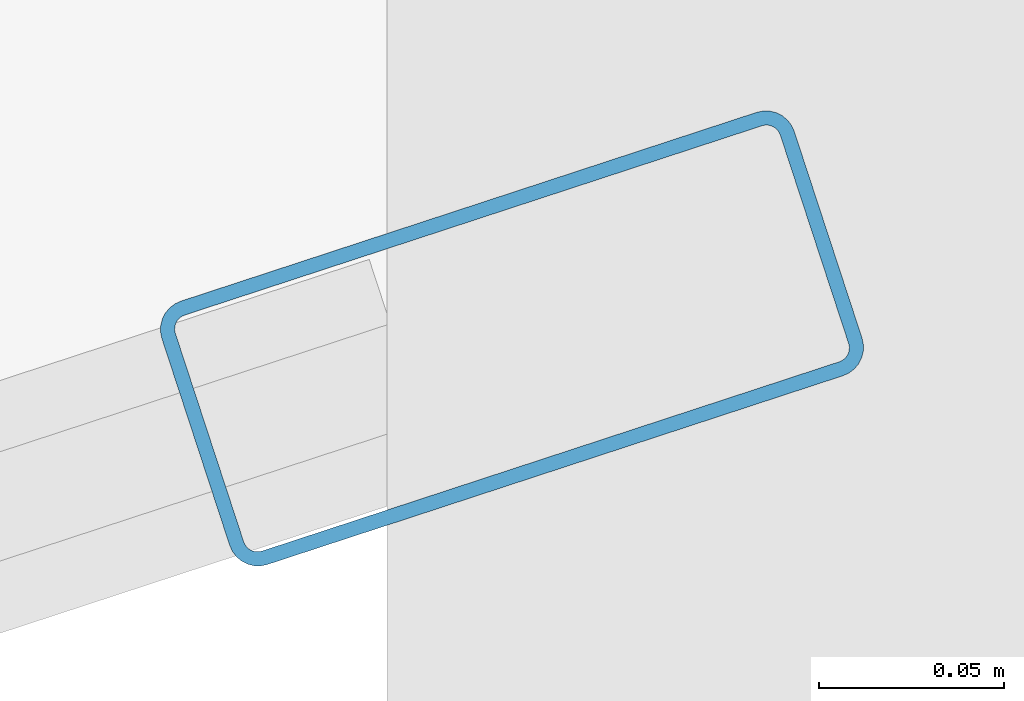
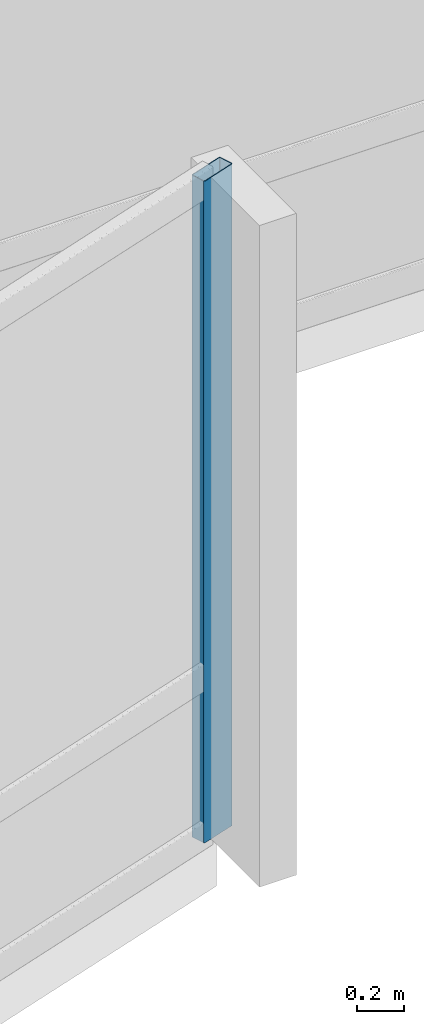
# One storey, part 10 of 34: 1 member, 1 element without a shape of its own.
"""IFC4 building model written with IfcOpenShell, lengths in metres."""

import ifcopenshell
import ifcopenshell.guid

model = None  # the IFC model being written
_history = None  # IfcOwnerHistory: only IFC2X3 demands one
_inside = {}  # id of a spatial element -> (the spatial element, [elements in it])
_under = {}  # id of a project, library or spatial element -> (it, [spatial elements below it])
_declared = {}  # id of a project -> (the project, [libraries it declares])
_typed = {}  # id of a type object -> (the type object, [elements of that type])
_made_of = {}  # id of a material, layer set ... -> (it, [elements and type objects made of it])


def new_model(schema):
    """Start an empty IFC model of exactly this schema.

    Asked for "IFC4X3", IfcOpenShell would pick the latest addendum, in which some entities
    have other attributes; the version numbers below select the first issue.
    IFC2X3 requires an IfcOwnerHistory on every rooted entity: one is made here for all.
    """
    global model, _history
    if schema == "IFC4X3":
        model = ifcopenshell.file(schema_version=(4, 3, 0, 0))
    else:
        model = ifcopenshell.file(schema=schema)
    _inside.clear()
    _under.clear()
    _declared.clear()
    _typed.clear()
    _made_of.clear()
    _history = None
    if model.schema == "IFC2X3":
        org = make("IfcOrganization", Name="unknown")
        user = make(
            "IfcPersonAndOrganization",
            ThePerson=make("IfcPerson", FamilyName="unknown"),
            TheOrganization=org,
        )
        app = make(
            "IfcApplication",
            ApplicationDeveloper=org,
            Version="unknown",
            ApplicationFullName="unknown",
            ApplicationIdentifier="unknown",
        )
        _history = make(
            "IfcOwnerHistory",
            OwningUser=user,
            OwningApplication=app,
            ChangeAction="ADDED",
            CreationDate=0,
        )
    return model


def make(cls, **values):
    """One entity of the class cls with the attributes given. An attribute that is None is left unset."""
    return model.create_entity(
        cls, **{name: value for name, value in values.items() if value is not None}
    )


def rooted(cls, **values):
    """An entity with a GlobalId (a new one), such as an element, a storey or a relation."""
    return make(cls, GlobalId=ifcopenshell.guid.new(), OwnerHistory=_history, **values)


def si_unit(unit_type, name, prefix=None):
    """IfcSIUnit, for example si_unit("LENGTHUNIT", "METRE", prefix="MILLI")."""
    return make("IfcSIUnit", UnitType=unit_type, Prefix=prefix, Name=name)


def assignment(units):
    """IfcUnitAssignment: the units of a project."""
    return None if units is None else make("IfcUnitAssignment", Units=units)


def point(xyz):
    """IfcCartesianPoint."""
    return None if xyz is None else make("IfcCartesianPoint", Coordinates=xyz)


def direction(xyz):
    """IfcDirection."""
    return None if xyz is None else make("IfcDirection", DirectionRatios=xyz)


def frame(location, z_axis=None, x_axis=None):
    """IfcAxis2Placement3D, a coordinate frame: its origin and axes. An axis left out is left unset."""
    return make(
        "IfcAxis2Placement3D",
        Location=point(location),
        Axis=direction(z_axis),
        RefDirection=direction(x_axis),
    )


def frame_2d(location, x_axis=None):
    """IfcAxis2Placement2D, a coordinate frame in the plane: its origin and x axis."""
    return make(
        "IfcAxis2Placement2D", Location=point(location), RefDirection=direction(x_axis)
    )


def origin():
    """The frame at (0, 0, 0) with its axes left unset."""
    return frame((0.0, 0.0, 0.0))


def origin_2d():
    """The frame at (0, 0) in the plane with its x axis left unset."""
    return frame_2d((0.0, 0.0))


def place(relative_to, where):
    """IfcLocalPlacement: puts the frame where relative to a parent placement (None: the world)."""
    return make(
        "IfcLocalPlacement", PlacementRelTo=relative_to, RelativePlacement=where
    )


def context(
    kind, dimensions, precision=None, world=None, true_north=None, identifier=None
):
    """IfcGeometricRepresentationContext, for example the 3D "Model" context."""
    return make(
        "IfcGeometricRepresentationContext",
        ContextIdentifier=identifier,
        ContextType=kind,
        CoordinateSpaceDimension=dimensions,
        Precision=precision,
        WorldCoordinateSystem=world,
        TrueNorth=true_north,
    )


def subcontext(parent, identifier, kind, view, scale=None):
    """IfcGeometricRepresentationSubContext, for example "Body" below "Model"."""
    return make(
        "IfcGeometricRepresentationSubContext",
        ContextIdentifier=identifier,
        ContextType=kind,
        ParentContext=parent,
        TargetScale=scale,
        TargetView=view,
    )


def project(units=None, contexts=None):
    """IfcProject with its units and contexts."""
    return rooted(
        "IfcProject",
        Name="project",
        RepresentationContexts=contexts,
        UnitsInContext=assignment(units),
    )


def spatial(cls, under=None, at=None, **own):
    """A site, building, storey or space (cls), placed at a placement, below another one or the project."""
    s = rooted(cls, ObjectPlacement=at, **own)
    if under is not None:
        _under.setdefault(under.id(), (under, []))[1].append(s)
    return s


def profile(cls, at=None, kind="AREA", **sizes):
    """A parametric profile (cls). Its sizes go by their IFC names, for example OverallWidth=200.0."""
    return make(cls, ProfileType=kind, Position=at, **sizes)


def hollow_rectangle(**sizes):
    """IfcRectangleHollowProfileDef."""
    return profile("IfcRectangleHollowProfileDef", **sizes)


def extrude(swept, where, along, depth):
    """IfcExtrudedAreaSolid: the profile swept, set in the frame where, extruded along a direction by depth."""
    return make(
        "IfcExtrudedAreaSolid",
        SweptArea=swept,
        Position=where,
        ExtrudedDirection=direction(along),
        Depth=depth,
    )


def shape(context_of_items, identifier, shape_type, items):
    """IfcShapeRepresentation: the items that make up one representation, for example the "Body"."""
    return make(
        "IfcShapeRepresentation",
        ContextOfItems=context_of_items,
        RepresentationIdentifier=identifier,
        RepresentationType=shape_type,
        Items=items,
    )


def material(Name=None, Category=None):
    """IfcMaterial."""
    return make("IfcMaterial", Name=Name, Category=Category)


def layer(
    of_material, thickness, ventilated=None, Name=None, Category=None, Priority=None
):
    """IfcMaterialLayer: one layer of a wall or slab, of a material (None: an air gap)."""
    return make(
        "IfcMaterialLayer",
        Material=of_material,
        LayerThickness=thickness,
        IsVentilated=ventilated,
        Name=Name,
        Category=Category,
        Priority=Priority,
    )


def layer_set(layers, Name=None):
    """IfcMaterialLayerSet."""
    return make("IfcMaterialLayerSet", MaterialLayers=layers, LayerSetName=Name)


def material_profile(
    of_material, cross_section, Name=None, Category=None, Priority=None
):
    """IfcMaterialProfile: a cross section and its material."""
    return make(
        "IfcMaterialProfile",
        Name=Name,
        Material=of_material,
        Profile=cross_section,
        Priority=Priority,
        Category=Category,
    )


def profile_set(profiles, Name=None, composite=None):
    """IfcMaterialProfileSet."""
    return make(
        "IfcMaterialProfileSet",
        Name=Name,
        MaterialProfiles=profiles,
        CompositeProfile=composite,
    )


def made_of(thing, what):
    """Note that an element or type object is made of a material, layer set ...; save() writes the relation."""
    if what is not None:
        _made_of.setdefault(what.id(), (what, []))[1].append(thing)
    return thing


def type_object(cls, material=None, **own):
    """A type object (cls), such as IfcWallType, which elements share."""
    return made_of(rooted(cls, **own), material)


def element(
    cls,
    number,
    at=None,
    inside=None,
    cuts=None,
    type_object=None,
    material=None,
    context=None,
    identifier="Body",
    shape_type=None,
    held_by="IfcProductDefinitionShape",
    body=None,
    shapes=None,
    **own,
):
    """One element of the class cls, such as IfcWall. Its Tag is "e" and its number.

    at: its placement. inside: the storey or other place that contains it. cuts: it is an
    opening in that element (IfcRelVoidsElement). A single representation is given by context,
    identifier, shape_type and body (its items); several are given by shapes. held_by: the class
    of the entity that holds the representations. save() writes the other relations.
    """
    e = rooted(cls, Tag="e%d" % number, ObjectPlacement=at, **own)
    if body is not None:
        shapes = [shape(context, identifier, shape_type, body)]
    if shapes is not None:
        e.Representation = make(held_by, Representations=shapes)
    if inside is not None:
        _inside.setdefault(inside.id(), (inside, []))[1].append(e)
    if cuts is not None:
        rooted(
            "IfcRelVoidsElement", RelatingBuildingElement=cuts, RelatedOpeningElement=e
        )
    if type_object is not None:
        _typed.setdefault(type_object.id(), (type_object, []))[1].append(e)
    return made_of(e, material)


def aggregate(whole, parts):
    """IfcRelAggregates: a whole, such as a stair, and the parts it consists of."""
    return rooted("IfcRelAggregates", RelatingObject=whole, RelatedObjects=parts)


def save(model, path):
    """Write the relations noted so far, then the file.

    IfcRelAggregates (storeys below a building ...), IfcRelContainedInSpatialStructure (elements
    in a storey), IfcRelDefinesByType, IfcRelAssociatesMaterial and IfcRelDeclares: one each for
    every whole, place, type object, material and project.
    """
    for whole, parts in _under.values():
        aggregate(whole, parts)
    for where, things in _inside.values():
        rooted(
            "IfcRelContainedInSpatialStructure",
            RelatedElements=things,
            RelatingStructure=where,
        )
    for kind, things in _typed.values():
        rooted("IfcRelDefinesByType", RelatedObjects=things, RelatingType=kind)
    for what, things in _made_of.values():
        rooted("IfcRelAssociatesMaterial", RelatedObjects=things, RelatingMaterial=what)
    for by, libraries in _declared.values():
        rooted("IfcRelDeclares", RelatingContext=by, RelatedDefinitions=libraries)
    model.write(path)


model = new_model("IFC4")

# Units and contexts
model_context = context("Model", 3, precision=1e-05, world=origin(), true_north=direction((0.0, 1.0)))
body_context = subcontext(model_context, "Body", "Model", "MODEL_VIEW")
ifc_project = project(units=[si_unit("LENGTHUNIT", "METRE"), si_unit("AREAUNIT", "SQUARE_METRE"), si_unit("VOLUMEUNIT", "CUBIC_METRE"), si_unit("PLANEANGLEUNIT", "RADIAN"), si_unit("MASSUNIT", "GRAM", prefix="KILO")], contexts=[model_context])

# Site, building, storey
site_placement = place(None, origin())
site = spatial("IfcSite", under=ifc_project, at=site_placement, CompositionType="ELEMENT")
building_placement = place(site_placement, origin())
building = spatial("IfcBuilding", under=site, at=building_placement, Name="Solvaryn Broadcast Tower", CompositionType="ELEMENT")
storey_placement = place(building_placement, frame((0.0, 0.0, 92.800048828125)))
storey = spatial("IfcBuildingStorey", under=building, at=storey_placement, Name="L22", CompositionType="ELEMENT", Elevation=92.800048828125)

# Curtain wall, member
ifc_material_1 = material(Name="Aluminium and Terracotta Unitised Curtain Wall", Category="masonry")
ifc_layer = layer(ifc_material_1, 0.199951171875)
ifc_layer_set = layer_set([ifc_layer], Name="CW-SYS2-LOWMID")
curtain_wall_type = type_object("IfcCurtainWallType", Name="CW-SYS2-LOWMID", PredefinedType="NOTDEFINED", material=ifc_layer_set)
curtain_wall_placement = place(storey_placement, origin())
curtain_wall = element("IfcCurtainWall", 1, at=curtain_wall_placement, inside=storey, type_object=curtain_wall_type, Name="L22 Curtain Wall DR4", PredefinedType="NOTDEFINED")
ifc_material_2 = material(Name="Anodised Aluminium 6063-T6", Category="aluminium")
ifc_material_profile = material_profile(ifc_material_2, hollow_rectangle(XDim=0.074951171875, YDim=0.179931640625, WallThickness=0.00390625, InnerFilletRadius=0.00390625, OuterFilletRadius=0.008056640625, at=origin_2d()))
ifc_profile_set = profile_set([ifc_material_profile], Name="Anodised Aluminium 6063-T6")
member_type = type_object("IfcMemberType", Name="CW-MUL-180", PredefinedType="MULLION", material=ifc_profile_set)
member_placement = place(storey_placement, frame((45.987548828125, 5.90673828125, 0.0), z_axis=(0.0, 0.0, 1.0), x_axis=(-0.311594044587, 0.950215318429, 0.0)))
member = element("IfcMember", 2, at=member_placement, type_object=member_type, Name="CWS2 mullion 2", PredefinedType="MULLION", context=body_context, shape_type="SweptSolid", body=[
    extrude(hollow_rectangle(XDim=0.074951171875, YDim=0.179931640625, WallThickness=0.00390625, InnerFilletRadius=0.00390625, OuterFilletRadius=0.008056640625, at=origin_2d()), origin(), (0.0, 0.0, 1.0), 3.419921875),
])
aggregate(curtain_wall, [member])

save(model, "model.ifc")
